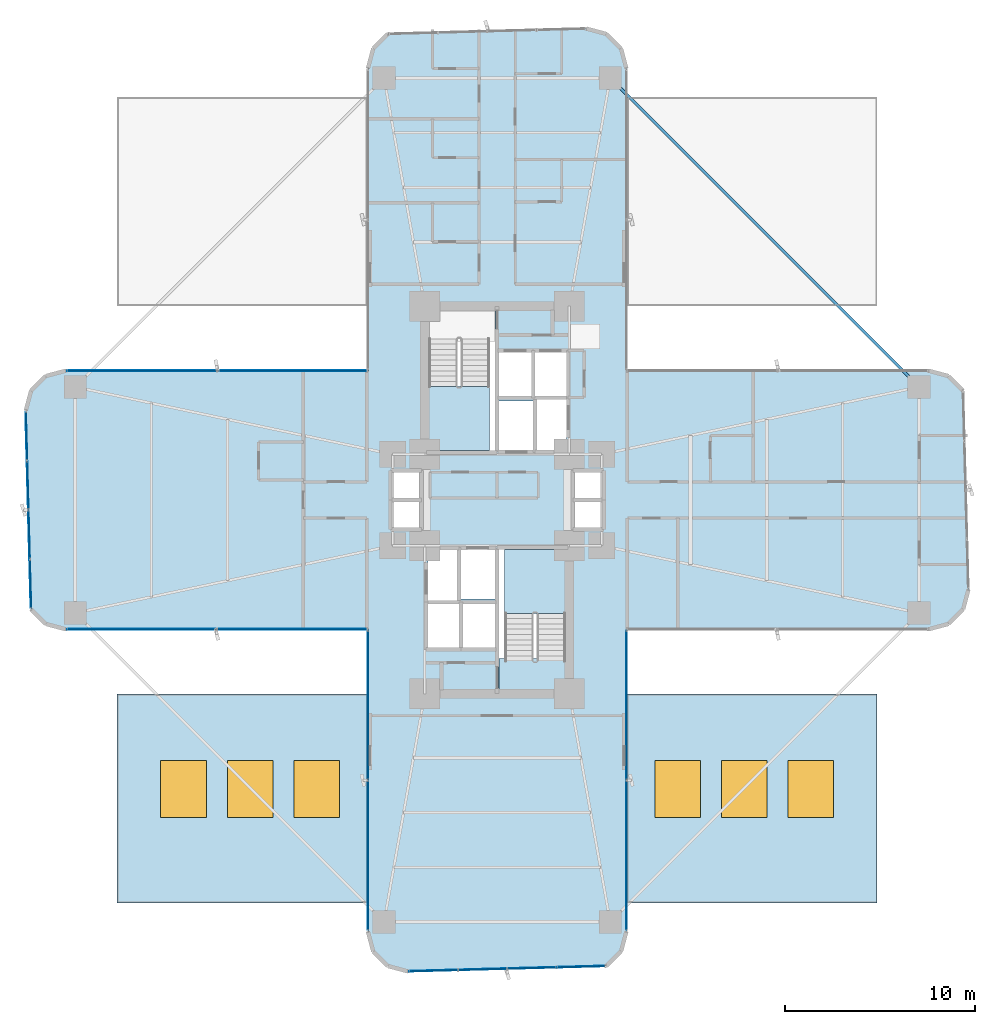
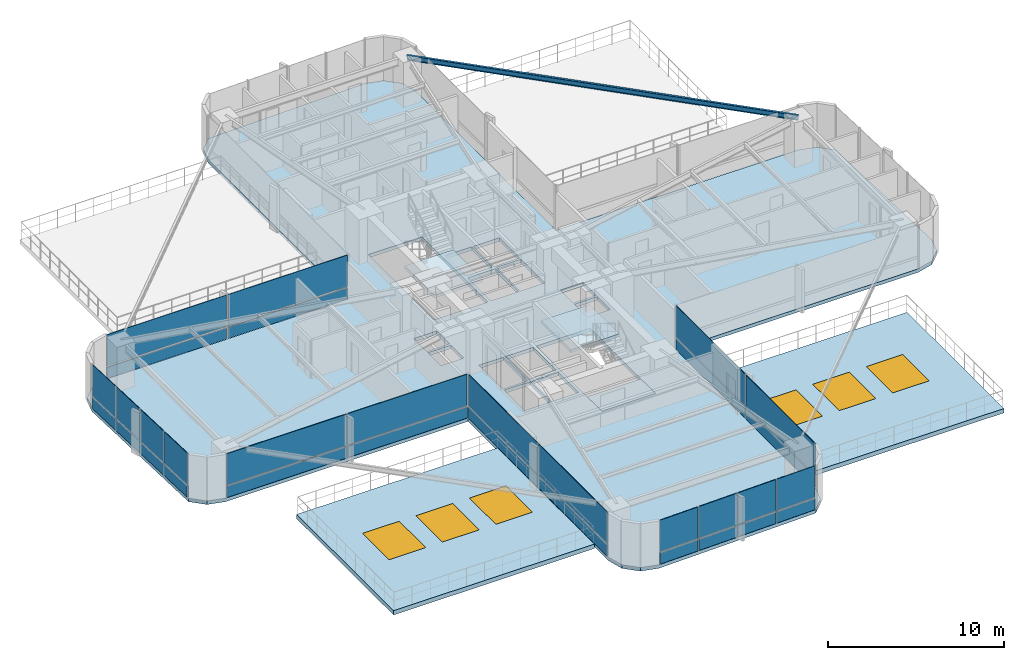
# One storey, part 20 of 27: 32 plates, 6 slabs, 6 windows, 1 beam, 6 openings, 8 elements without a shape of their own.
"""IFC4 building model written with IfcOpenShell, lengths in metres."""

import ifcopenshell
import ifcopenshell.guid

model = None  # the IFC model being written
_history = None  # IfcOwnerHistory: only IFC2X3 demands one
_inside = {}  # id of a spatial element -> (the spatial element, [elements in it])
_under = {}  # id of a project, library or spatial element -> (it, [spatial elements below it])
_declared = {}  # id of a project -> (the project, [libraries it declares])
_typed = {}  # id of a type object -> (the type object, [elements of that type])
_made_of = {}  # id of a material, layer set ... -> (it, [elements and type objects made of it])


def new_model(schema):
    """Start an empty IFC model of exactly this schema.

    Asked for "IFC4X3", IfcOpenShell would pick the latest addendum, in which some entities
    have other attributes; the version numbers below select the first issue.
    IFC2X3 requires an IfcOwnerHistory on every rooted entity: one is made here for all.
    """
    global model, _history
    if schema == "IFC4X3":
        model = ifcopenshell.file(schema_version=(4, 3, 0, 0))
    else:
        model = ifcopenshell.file(schema=schema)
    _inside.clear()
    _under.clear()
    _declared.clear()
    _typed.clear()
    _made_of.clear()
    _history = None
    if model.schema == "IFC2X3":
        org = make("IfcOrganization", Name="unknown")
        user = make(
            "IfcPersonAndOrganization",
            ThePerson=make("IfcPerson", FamilyName="unknown"),
            TheOrganization=org,
        )
        app = make(
            "IfcApplication",
            ApplicationDeveloper=org,
            Version="unknown",
            ApplicationFullName="unknown",
            ApplicationIdentifier="unknown",
        )
        _history = make(
            "IfcOwnerHistory",
            OwningUser=user,
            OwningApplication=app,
            ChangeAction="ADDED",
            CreationDate=0,
        )
    return model


def make(cls, **values):
    """One entity of the class cls with the attributes given. An attribute that is None is left unset."""
    return model.create_entity(
        cls, **{name: value for name, value in values.items() if value is not None}
    )


def rooted(cls, **values):
    """An entity with a GlobalId (a new one), such as an element, a storey or a relation."""
    return make(cls, GlobalId=ifcopenshell.guid.new(), OwnerHistory=_history, **values)


def si_unit(unit_type, name, prefix=None):
    """IfcSIUnit, for example si_unit("LENGTHUNIT", "METRE", prefix="MILLI")."""
    return make("IfcSIUnit", UnitType=unit_type, Prefix=prefix, Name=name)


def assignment(units):
    """IfcUnitAssignment: the units of a project."""
    return None if units is None else make("IfcUnitAssignment", Units=units)


def point(xyz):
    """IfcCartesianPoint."""
    return None if xyz is None else make("IfcCartesianPoint", Coordinates=xyz)


def direction(xyz):
    """IfcDirection."""
    return None if xyz is None else make("IfcDirection", DirectionRatios=xyz)


def frame(location, z_axis=None, x_axis=None):
    """IfcAxis2Placement3D, a coordinate frame: its origin and axes. An axis left out is left unset."""
    return make(
        "IfcAxis2Placement3D",
        Location=point(location),
        Axis=direction(z_axis),
        RefDirection=direction(x_axis),
    )


def frame_2d(location, x_axis=None):
    """IfcAxis2Placement2D, a coordinate frame in the plane: its origin and x axis."""
    return make(
        "IfcAxis2Placement2D", Location=point(location), RefDirection=direction(x_axis)
    )


def origin():
    """The frame at (0, 0, 0) with its axes left unset."""
    return frame((0.0, 0.0, 0.0))


def origin_2d():
    """The frame at (0, 0) in the plane with its x axis left unset."""
    return frame_2d((0.0, 0.0))


def place(relative_to, where):
    """IfcLocalPlacement: puts the frame where relative to a parent placement (None: the world)."""
    return make(
        "IfcLocalPlacement", PlacementRelTo=relative_to, RelativePlacement=where
    )


def context(
    kind, dimensions, precision=None, world=None, true_north=None, identifier=None
):
    """IfcGeometricRepresentationContext, for example the 3D "Model" context."""
    return make(
        "IfcGeometricRepresentationContext",
        ContextIdentifier=identifier,
        ContextType=kind,
        CoordinateSpaceDimension=dimensions,
        Precision=precision,
        WorldCoordinateSystem=world,
        TrueNorth=true_north,
    )


def subcontext(parent, identifier, kind, view, scale=None):
    """IfcGeometricRepresentationSubContext, for example "Body" below "Model"."""
    return make(
        "IfcGeometricRepresentationSubContext",
        ContextIdentifier=identifier,
        ContextType=kind,
        ParentContext=parent,
        TargetScale=scale,
        TargetView=view,
    )


def project(units=None, contexts=None):
    """IfcProject with its units and contexts."""
    return rooted(
        "IfcProject",
        Name="project",
        RepresentationContexts=contexts,
        UnitsInContext=assignment(units),
    )


def spatial(cls, under=None, at=None, **own):
    """A site, building, storey or space (cls), placed at a placement, below another one or the project."""
    s = rooted(cls, ObjectPlacement=at, **own)
    if under is not None:
        _under.setdefault(under.id(), (under, []))[1].append(s)
    return s


def polyline(points):
    """IfcPolyline through the points."""
    return make("IfcPolyline", Points=[point(p) for p in points])


def profile(cls, at=None, kind="AREA", **sizes):
    """A parametric profile (cls). Its sizes go by their IFC names, for example OverallWidth=200.0."""
    return make(cls, ProfileType=kind, Position=at, **sizes)


def rectangle(**sizes):
    """IfcRectangleProfileDef."""
    return profile("IfcRectangleProfileDef", **sizes)


def i_section(**sizes):
    """IfcIShapeProfileDef."""
    return profile("IfcIShapeProfileDef", **sizes)


def outline(outer, holes=None, kind="AREA"):
    """IfcArbitraryClosedProfileDef: a profile drawn as a closed curve; with holes, ...WithVoids."""
    if holes is None:
        return make("IfcArbitraryClosedProfileDef", ProfileType=kind, OuterCurve=outer)
    return make(
        "IfcArbitraryProfileDefWithVoids",
        ProfileType=kind,
        OuterCurve=outer,
        InnerCurves=holes,
    )


def extrude(swept, where, along, depth):
    """IfcExtrudedAreaSolid: the profile swept, set in the frame where, extruded along a direction by depth."""
    return make(
        "IfcExtrudedAreaSolid",
        SweptArea=swept,
        Position=where,
        ExtrudedDirection=direction(along),
        Depth=depth,
    )


def shape(context_of_items, identifier, shape_type, items):
    """IfcShapeRepresentation: the items that make up one representation, for example the "Body"."""
    return make(
        "IfcShapeRepresentation",
        ContextOfItems=context_of_items,
        RepresentationIdentifier=identifier,
        RepresentationType=shape_type,
        Items=items,
    )


def source(mapping_origin, context_of_items, identifier, shape_type, items):
    """IfcRepresentationMap: a shape defined once, which mapped items show again and again."""
    return make(
        "IfcRepresentationMap",
        MappingOrigin=mapping_origin,
        MappedRepresentation=shape(context_of_items, identifier, shape_type, items),
    )


def transform(
    local_origin,
    x_axis=None,
    y_axis=None,
    z_axis=None,
    scale=None,
    scale2=None,
    scale3=None,
    uniform=True,
):
    """IfcCartesianTransformationOperator3D, or its non-uniform kind. x_axis, y_axis, z_axis: its Axis1, 2, 3."""
    if uniform:
        return make(
            "IfcCartesianTransformationOperator3D",
            Axis1=direction(x_axis),
            Axis2=direction(y_axis),
            LocalOrigin=point(local_origin),
            Scale=scale,
            Axis3=direction(z_axis),
        )
    return make(
        "IfcCartesianTransformationOperator3DnonUniform",
        Axis1=direction(x_axis),
        Axis2=direction(y_axis),
        LocalOrigin=point(local_origin),
        Scale=scale,
        Axis3=direction(z_axis),
        Scale2=scale2,
        Scale3=scale3,
    )


def mapped(mapping_source, mapping_target):
    """IfcMappedItem: shows the shape of a source again, moved by a transform."""
    return make(
        "IfcMappedItem", MappingSource=mapping_source, MappingTarget=mapping_target
    )


def material(Name=None, Category=None):
    """IfcMaterial."""
    return make("IfcMaterial", Name=Name, Category=Category)


def layer(
    of_material, thickness, ventilated=None, Name=None, Category=None, Priority=None
):
    """IfcMaterialLayer: one layer of a wall or slab, of a material (None: an air gap)."""
    return make(
        "IfcMaterialLayer",
        Material=of_material,
        LayerThickness=thickness,
        IsVentilated=ventilated,
        Name=Name,
        Category=Category,
        Priority=Priority,
    )


def layer_set(layers, Name=None):
    """IfcMaterialLayerSet."""
    return make("IfcMaterialLayerSet", MaterialLayers=layers, LayerSetName=Name)


def material_profile(
    of_material, cross_section, Name=None, Category=None, Priority=None
):
    """IfcMaterialProfile: a cross section and its material."""
    return make(
        "IfcMaterialProfile",
        Name=Name,
        Material=of_material,
        Profile=cross_section,
        Priority=Priority,
        Category=Category,
    )


def profile_set(profiles, Name=None, composite=None):
    """IfcMaterialProfileSet."""
    return make(
        "IfcMaterialProfileSet",
        Name=Name,
        MaterialProfiles=profiles,
        CompositeProfile=composite,
    )


def made_of(thing, what):
    """Note that an element or type object is made of a material, layer set ...; save() writes the relation."""
    if what is not None:
        _made_of.setdefault(what.id(), (what, []))[1].append(thing)
    return thing


def type_object(cls, material=None, **own):
    """A type object (cls), such as IfcWallType, which elements share."""
    return made_of(rooted(cls, **own), material)


def element(
    cls,
    number,
    at=None,
    inside=None,
    cuts=None,
    type_object=None,
    material=None,
    context=None,
    identifier="Body",
    shape_type=None,
    held_by="IfcProductDefinitionShape",
    body=None,
    shapes=None,
    **own,
):
    """One element of the class cls, such as IfcWall. Its Tag is "e" and its number.

    at: its placement. inside: the storey or other place that contains it. cuts: it is an
    opening in that element (IfcRelVoidsElement). A single representation is given by context,
    identifier, shape_type and body (its items); several are given by shapes. held_by: the class
    of the entity that holds the representations. save() writes the other relations.
    """
    e = rooted(cls, Tag="e%d" % number, ObjectPlacement=at, **own)
    if body is not None:
        shapes = [shape(context, identifier, shape_type, body)]
    if shapes is not None:
        e.Representation = make(held_by, Representations=shapes)
    if inside is not None:
        _inside.setdefault(inside.id(), (inside, []))[1].append(e)
    if cuts is not None:
        rooted(
            "IfcRelVoidsElement", RelatingBuildingElement=cuts, RelatedOpeningElement=e
        )
    if type_object is not None:
        _typed.setdefault(type_object.id(), (type_object, []))[1].append(e)
    return made_of(e, material)


def fill(opening, filler):
    """IfcRelFillsElement: the door or window that sits in an opening."""
    return rooted(
        "IfcRelFillsElement",
        RelatingOpeningElement=opening,
        RelatedBuildingElement=filler,
    )


def aggregate(whole, parts):
    """IfcRelAggregates: a whole, such as a stair, and the parts it consists of."""
    return rooted("IfcRelAggregates", RelatingObject=whole, RelatedObjects=parts)


def save(model, path):
    """Write the relations noted so far, then the file.

    IfcRelAggregates (storeys below a building ...), IfcRelContainedInSpatialStructure (elements
    in a storey), IfcRelDefinesByType, IfcRelAssociatesMaterial and IfcRelDeclares: one each for
    every whole, place, type object, material and project.
    """
    for whole, parts in _under.values():
        aggregate(whole, parts)
    for where, things in _inside.values():
        rooted(
            "IfcRelContainedInSpatialStructure",
            RelatedElements=things,
            RelatingStructure=where,
        )
    for kind, things in _typed.values():
        rooted("IfcRelDefinesByType", RelatedObjects=things, RelatingType=kind)
    for what, things in _made_of.values():
        rooted("IfcRelAssociatesMaterial", RelatedObjects=things, RelatingMaterial=what)
    for by, libraries in _declared.values():
        rooted("IfcRelDeclares", RelatingContext=by, RelatedDefinitions=libraries)
    model.write(path)


model = new_model("IFC4")

# Units and contexts
model_context = context("Model", 3, precision=1e-05, world=origin(), true_north=direction((0.0, 1.0)))
body_context = subcontext(model_context, "Body", "Model", "MODEL_VIEW")
ifc_project = project(units=[si_unit("LENGTHUNIT", "METRE"), si_unit("AREAUNIT", "SQUARE_METRE"), si_unit("VOLUMEUNIT", "CUBIC_METRE"), si_unit("PLANEANGLEUNIT", "RADIAN"), si_unit("MASSUNIT", "GRAM", prefix="KILO")], contexts=[model_context])

# Site, building, storey
site_placement = place(None, origin())
site = spatial("IfcSite", under=ifc_project, at=site_placement, CompositionType="ELEMENT")
building_placement = place(site_placement, origin())
building = spatial("IfcBuilding", under=site, at=building_placement, Name="Sahyath Konkavel Grand Hotel", CompositionType="ELEMENT")
storey_placement = place(building_placement, frame((0.0, 0.0, 23.10009765625)))
storey = spatial("IfcBuildingStorey", under=building, at=storey_placement, Name="L05", CompositionType="ELEMENT", Elevation=23.10009765625)

# Beam
ifc_material_1 = material(Name="Steel E350", Category="steel")
ifc_material_profile = material_profile(ifc_material_1, i_section(OverallWidth=0.139892578125, OverallDepth=0.35009765625, WebThickness=0.008056640625, FlangeThickness=0.01416015625, FilletRadius=0.013916015625, at=origin_2d()), Name="ISMB 350")
ifc_profile_set = profile_set([ifc_material_profile], Name="Steel E350")
beam_type = type_object("IfcBeamType", Name="BM-ISMB350", PredefinedType="BEAM", material=ifc_profile_set)
shared_shape_1 = source(origin(), body_context, "Body", "SweptSolid", [
    extrude(i_section(OverallWidth=0.139892578125, OverallDepth=0.35009765625, WebThickness=0.008056640625, FlangeThickness=0.01416015625, FilletRadius=0.013916015625, at=origin_2d()), origin(), (0.0, 0.0, 1.0), 22.98095703125),
])
beam_placement = place(storey_placement, frame((22.199951171875, 5.949951171875, 2.934814453125), z_axis=(-0.707106781187, 0.707106781187, 0.0), x_axis=(-0.707106781187, -0.707106781187, 0.0)))
element("IfcBeam", 1, at=beam_placement, inside=storey, type_object=beam_type, Name="L05 Re-Entrant Tie Beam NE", PredefinedType="BEAM", context=body_context, shape_type="MappedRepresentation", body=[
    mapped(shared_shape_1, transform((0.0, 0.0, 0.0), scale=1.0)),
])

# Slab
ifc_material_2 = material(Name="Concrete C40/50", Category="concrete")
ifc_layer_1 = layer(ifc_material_2, 0.239990234375)
ifc_layer_set_1 = layer_set([ifc_layer_1], Name="Concrete C40/50")
slab_type_1 = type_object("IfcSlabType", Name="SLB-240", PredefinedType="FLOOR", material=ifc_layer_set_1)
slab_1_placement = place(storey_placement, frame((0.0, 0.0, -0.239990234375)))
element("IfcSlab", 2, at=slab_1_placement, inside=storey, type_object=slab_type_1, Name="L05 Structural Floor Slab", PredefinedType="FLOOR", context=body_context, shape_type="SweptSolid", body=[
    extrude(outline(polyline([(6.800048828125, -6.800048828125), (22.699951171875, -6.800048828125), (23.75, -6.518798828125), (24.518798828125, -5.75), (24.800048828125, -4.699951171875), (24.518798828125, 5.75), (23.75, 6.518798828125), (22.699951171875, 6.800048828125), (6.800048828125, 6.800048828125), (6.800048828125, 22.699951171875), (6.518798828125, 23.75), (5.75, 24.518798828125), (4.699951171875, 24.800048828125), (-5.75, 24.518798828125), (-6.518798828125, 23.75), (-6.800048828125, 22.699951171875), (-6.800048828125, 6.800048828125), (-22.699951171875, 6.800048828125), (-23.75, 6.518798828125), (-24.518798828125, 5.75), (-24.800048828125, 4.699951171875), (-24.518798828125, -5.75), (-23.75, -6.518798828125), (-22.699951171875, -6.800048828125), (-6.800048828125, -6.800048828125), (-6.800048828125, -22.699951171875), (-6.518798828125, -23.75), (-5.75, -24.518798828125), (-4.699951171875, -24.800048828125), (5.75, -24.518798828125), (6.518798828125, -23.75), (6.800048828125, -22.699951171875), (6.800048828125, -6.800048828125)]), holes=[polyline([(-3.6201171875, 2.580078125), (-0.10009765625, 2.580078125), (-0.10009765625, 10.02001953125), (-3.6201171875, 10.02001953125), (-3.6201171875, 2.580078125)]), polyline([(0.10009765625, -10.02001953125), (3.6201171875, -10.02001953125), (3.6201171875, -2.580078125), (0.10009765625, -2.580078125), (0.10009765625, -10.02001953125)]), polyline([(0.10009765625, 2.60009765625), (1.949951171875, 2.60009765625), (1.949951171875, 5.199951171875), (0.10009765625, 5.199951171875), (0.10009765625, 2.60009765625)]), polyline([(-1.949951171875, -5.199951171875), (-0.10009765625, -5.199951171875), (-0.10009765625, -2.60009765625), (-1.949951171875, -2.60009765625), (-1.949951171875, -5.199951171875)]), polyline([(2.050048828125, 2.60009765625), (3.64990234375, 2.60009765625), (3.64990234375, 5.300048828125), (2.050048828125, 5.300048828125), (2.050048828125, 2.60009765625)]), polyline([(-3.64990234375, -5.300048828125), (-2.050048828125, -5.300048828125), (-2.050048828125, -2.60009765625), (-3.64990234375, -2.60009765625), (-3.64990234375, -5.300048828125)]), polyline([(0.10009765625, 5.449951171875), (1.85009765625, 5.449951171875), (1.85009765625, 7.75), (0.10009765625, 7.75), (0.10009765625, 5.449951171875)]), polyline([(1.949951171875, 5.449951171875), (3.64990234375, 5.449951171875), (3.64990234375, 7.75), (1.949951171875, 7.75), (1.949951171875, 5.449951171875)]), polyline([(-3.64990234375, -7.75), (-1.949951171875, -7.75), (-1.949951171875, -5.449951171875), (-3.64990234375, -5.449951171875), (-3.64990234375, -7.75)]), polyline([(-1.85009765625, -7.75), (-0.10009765625, -7.75), (-0.10009765625, -5.449951171875), (-1.85009765625, -5.449951171875), (-1.85009765625, -7.75)]), polyline([(4.050048828125, 0.080078125), (5.550048828125, 0.080078125), (5.550048828125, 1.5400390625), (4.050048828125, 1.5400390625), (4.050048828125, 0.080078125)]), polyline([(4.050048828125, -1.5400390625), (5.550048828125, -1.5400390625), (5.550048828125, -0.080078125), (4.050048828125, -0.080078125), (4.050048828125, -1.5400390625)]), polyline([(-5.550048828125, 0.080078125), (-4.050048828125, 0.080078125), (-4.050048828125, 1.5400390625), (-5.550048828125, 1.5400390625), (-5.550048828125, 0.080078125)]), polyline([(-5.550048828125, -1.5400390625), (-4.050048828125, -1.5400390625), (-4.050048828125, -0.080078125), (-5.550048828125, -0.080078125), (-5.550048828125, -1.5400390625)])]), origin(), (0.0, 0.0, 1.0), 0.239990234375),
])

# Slab, openings, windows
ifc_layer_2 = layer(ifc_material_2, 0.300048828125)
ifc_layer_set_2 = layer_set([ifc_layer_2], Name="Concrete C40/50")
slab_type_2 = type_object("IfcSlabType", Name="SLB-POD-ROOF", PredefinedType="ROOF", material=ifc_layer_set_2)
slab_2_placement = place(storey_placement, frame((0.0, 0.0, -0.300048828125)))
slab_2 = element("IfcSlab", 3, at=slab_2_placement, inside=storey, type_object=slab_type_2, Name="Podium Landscaped Roof Terrace SW", PredefinedType="ROOF", context=body_context, shape_type="SweptSolid", body=[
    extrude(outline(polyline([(-20.0, -21.199951171875), (-6.840087890625, -21.199951171875), (-6.840087890625, -10.199951171875), (-20.0, -10.199951171875), (-20.0, -21.199951171875)])), origin(), (0.0, 0.0, 1.0), 0.300048828125),
])
opening_1_placement = place(slab_2_placement, frame((-16.5, -15.199951171875, -0.010009765625)))
opening_1 = element("IfcOpeningElement", 4, at=opening_1_placement, cuts=slab_2, Name="Opening SK-24", PredefinedType="OPENING", context=body_context, shape_type="SweptSolid", body=[
    extrude(rectangle(XDim=2.39990234375, YDim=3.0, at=origin_2d()), origin(), (0.0, 0.0, 1.0), 0.320068359375),
])
opening_2_placement = place(slab_2_placement, frame((-13.0, -15.199951171875, -0.010009765625)))
opening_2 = element("IfcOpeningElement", 5, at=opening_2_placement, cuts=slab_2, Name="Opening SK-24", PredefinedType="OPENING", context=body_context, shape_type="SweptSolid", body=[
    extrude(rectangle(XDim=2.39990234375, YDim=3.0, at=origin_2d()), origin(), (0.0, 0.0, 1.0), 0.320068359375),
])
opening_3_placement = place(slab_2_placement, frame((-9.5, -15.199951171875, -0.010009765625)))
opening_3 = element("IfcOpeningElement", 6, at=opening_3_placement, cuts=slab_2, Name="Opening SK-24", PredefinedType="OPENING", context=body_context, shape_type="SweptSolid", body=[
    extrude(rectangle(XDim=2.39990234375, YDim=3.0, at=origin_2d()), origin(), (0.0, 0.0, 1.0), 0.320068359375),
])
ifc_material_3 = material(Name="Laminated Solar-Control Double Glazing", Category="glass")
window_type = type_object("IfcWindowType", Name="SKYLIGHT-2400", PartitioningType="SINGLE_PANEL", PredefinedType="SKYLIGHT", material=ifc_material_3)
shared_shape_2 = source(origin(), body_context, "Body", "SweptSolid", [
    extrude(rectangle(XDim=2.39990234375, YDim=3.0, at=origin_2d()), origin(), (0.0, 0.0, 1.0), 0.050048828125),
])
window_1_placement = place(slab_2_placement, frame((-16.5, -15.199951171875, 0.25)))
window_1 = element("IfcWindow", 7, at=window_1_placement, inside=storey, type_object=window_type, Name="Podium Atrium Skylight SK-01", OverallHeight=3.0, OverallWidth=2.39990234375, PartitioningType="SINGLE_PANEL", PredefinedType="SKYLIGHT", context=body_context, shape_type="MappedRepresentation", body=[
    mapped(shared_shape_2, transform((0.0, 0.0, 0.0), scale=1.0)),
])
fill(opening_1, window_1)
window_2_placement = place(slab_2_placement, frame((-13.0, -15.199951171875, 0.25)))
window_2 = element("IfcWindow", 8, at=window_2_placement, inside=storey, type_object=window_type, Name="Podium Atrium Skylight SK-02", OverallHeight=3.0, OverallWidth=2.39990234375, PartitioningType="SINGLE_PANEL", PredefinedType="SKYLIGHT", context=body_context, shape_type="MappedRepresentation", body=[
    mapped(shared_shape_2, transform((0.0, 0.0, 0.0), scale=1.0)),
])
fill(opening_2, window_2)
window_3_placement = place(slab_2_placement, frame((-9.5, -15.199951171875, 0.25)))
window_3 = element("IfcWindow", 9, at=window_3_placement, inside=storey, type_object=window_type, Name="Podium Atrium Skylight SK-03", OverallHeight=3.0, OverallWidth=2.39990234375, PartitioningType="SINGLE_PANEL", PredefinedType="SKYLIGHT", context=body_context, shape_type="MappedRepresentation", body=[
    mapped(shared_shape_2, transform((0.0, 0.0, 0.0), scale=1.0)),
])
fill(opening_3, window_3)

slab_3_placement = place(storey_placement, frame((0.0, 0.0, -0.300048828125)))
slab_3 = element("IfcSlab", 10, at=slab_3_placement, inside=storey, type_object=slab_type_2, Name="Podium Landscaped Roof Terrace SE", PredefinedType="ROOF", context=body_context, shape_type="SweptSolid", body=[
    extrude(outline(polyline([(6.840087890625, -21.199951171875), (20.0, -21.199951171875), (20.0, -10.199951171875), (6.840087890625, -10.199951171875), (6.840087890625, -21.199951171875)])), origin(), (0.0, 0.0, 1.0), 0.300048828125),
])
opening_4_placement = place(slab_3_placement, frame((9.5, -15.199951171875, -0.010009765625)))
opening_4 = element("IfcOpeningElement", 11, at=opening_4_placement, cuts=slab_3, Name="Opening SK-24", PredefinedType="OPENING", context=body_context, shape_type="SweptSolid", body=[
    extrude(rectangle(XDim=2.39990234375, YDim=3.0, at=origin_2d()), origin(), (0.0, 0.0, 1.0), 0.320068359375),
])
opening_5_placement = place(slab_3_placement, frame((13.0, -15.199951171875, -0.010009765625)))
opening_5 = element("IfcOpeningElement", 12, at=opening_5_placement, cuts=slab_3, Name="Opening SK-24", PredefinedType="OPENING", context=body_context, shape_type="SweptSolid", body=[
    extrude(rectangle(XDim=2.39990234375, YDim=3.0, at=origin_2d()), origin(), (0.0, 0.0, 1.0), 0.320068359375),
])
opening_6_placement = place(slab_3_placement, frame((16.5, -15.199951171875, -0.010009765625)))
opening_6 = element("IfcOpeningElement", 13, at=opening_6_placement, cuts=slab_3, Name="Opening SK-24", PredefinedType="OPENING", context=body_context, shape_type="SweptSolid", body=[
    extrude(rectangle(XDim=2.39990234375, YDim=3.0, at=origin_2d()), origin(), (0.0, 0.0, 1.0), 0.320068359375),
])
window_4_placement = place(slab_3_placement, frame((9.5, -15.199951171875, 0.25)))
window_4 = element("IfcWindow", 14, at=window_4_placement, inside=storey, type_object=window_type, Name="Podium Atrium Skylight SK-04", OverallHeight=3.0, OverallWidth=2.39990234375, PartitioningType="SINGLE_PANEL", PredefinedType="SKYLIGHT", context=body_context, shape_type="MappedRepresentation", body=[
    mapped(shared_shape_2, transform((0.0, 0.0, 0.0), scale=1.0)),
])
fill(opening_4, window_4)
window_5_placement = place(slab_3_placement, frame((13.0, -15.199951171875, 0.25)))
window_5 = element("IfcWindow", 15, at=window_5_placement, inside=storey, type_object=window_type, Name="Podium Atrium Skylight SK-05", OverallHeight=3.0, OverallWidth=2.39990234375, PartitioningType="SINGLE_PANEL", PredefinedType="SKYLIGHT", context=body_context, shape_type="MappedRepresentation", body=[
    mapped(shared_shape_2, transform((0.0, 0.0, 0.0), scale=1.0)),
])
fill(opening_5, window_5)
window_6_placement = place(slab_3_placement, frame((16.5, -15.199951171875, 0.25)))
window_6 = element("IfcWindow", 16, at=window_6_placement, inside=storey, type_object=window_type, Name="Podium Atrium Skylight SK-06", OverallHeight=3.0, OverallWidth=2.39990234375, PartitioningType="SINGLE_PANEL", PredefinedType="SKYLIGHT", context=body_context, shape_type="MappedRepresentation", body=[
    mapped(shared_shape_2, transform((0.0, 0.0, 0.0), scale=1.0)),
])
fill(opening_6, window_6)

# Stair, slab
stair_type = type_object("IfcStairType", Name="STR-ST16-335", PredefinedType="HALF_TURN_STAIR", material=ifc_material_2)
stair_1_placement = place(storey_placement, origin())
stair_1 = element("IfcStair", 17, at=stair_1_placement, inside=storey, type_object=stair_type, Name="L05 North Core Smokeproof Exit Stair ST-1", PredefinedType="HALF_TURN_STAIR")
ifc_layer_3 = layer(ifc_material_2, 0.199951171875)
ifc_layer_set_3 = layer_set([ifc_layer_3], Name="Concrete C40/50")
slab_type_3 = type_object("IfcSlabType", Name="SLB-STAIR-LND", PredefinedType="LANDING", material=ifc_layer_set_3)
slab_4_placement = place(storey_placement, frame((0.0, 0.0, 1.474853515625)))
slab_4 = element("IfcSlab", 18, at=slab_4_placement, type_object=slab_type_3, Name="ST-1 landing 1", PredefinedType="LANDING", context=body_context, shape_type="SweptSolid", body=[
    extrude(outline(polyline([(-3.60009765625, 5.9599609375), (-3.60009765625, 2.60009765625), (-0.39990234375, 2.60009765625), (-0.39990234375, 5.9599609375), (-3.60009765625, 5.9599609375)])), origin(), (0.0, 0.0, 1.0), 0.199951171875),
])
aggregate(stair_1, [slab_4])

stair_2_placement = place(storey_placement, origin())
stair_2 = element("IfcStair", 19, at=stair_2_placement, inside=storey, type_object=stair_type, Name="L05 South Core Smokeproof Exit Stair ST-2", PredefinedType="HALF_TURN_STAIR")
slab_5_placement = place(storey_placement, frame((0.0, 0.0, 1.474853515625)))
slab_5 = element("IfcSlab", 20, at=slab_5_placement, type_object=slab_type_3, Name="ST-2 landing 1", PredefinedType="LANDING", context=body_context, shape_type="SweptSolid", body=[
    extrude(outline(polyline([(3.60009765625, -5.9599609375), (3.60009765625, -2.60009765625), (0.39990234375, -2.60009765625), (0.39990234375, -5.9599609375), (3.60009765625, -5.9599609375)])), origin(), (0.0, 0.0, 1.0), 0.199951171875),
])
aggregate(stair_2, [slab_5])

# Slab
slab_6_placement = place(storey_placement, frame((0.0, 0.0, -0.2001953125)))
element("IfcSlab", 21, at=slab_6_placement, inside=storey, type_object=slab_type_3, Name="L05 Stair ST-2 Floor Landing Slab", PredefinedType="LANDING", context=body_context, shape_type="SweptSolid", body=[
    extrude(outline(polyline([(0.10009765625, -10.02001953125), (3.6201171875, -10.02001953125), (3.6201171875, -8.35009765625), (0.10009765625, -8.35009765625), (0.10009765625, -10.02001953125)])), origin(), (0.0, 0.0, 1.0), 0.2001953125),
])

# Curtain wall, plates
ifc_material_4 = material(Name="Anodised Bronze Aluminium & Low-E Glazing", Category="aluminium")
curtain_wall_type = type_object("IfcCurtainWallType", Name="CW-ZONE1", PredefinedType="NOTDEFINED", material=ifc_material_4)
curtain_wall_1_placement = place(storey_placement, origin())
curtain_wall_1 = element("IfcCurtainWall", 22, at=curtain_wall_1_placement, inside=storey, type_object=curtain_wall_type, Name="L05 Unitised Curtain Wall F16", PredefinedType="NOTDEFINED")
ifc_material_5 = material(Name="Warm Buff Sandstone Cladding", Category="masonry")
ifc_layer_4 = layer(ifc_material_5, 0.074951171875)
ifc_layer_set_4 = layer_set([ifc_layer_4], Name="Warm Buff Sandstone Cladding")
plate_type_1 = type_object("IfcPlateType", Name="PNL-SPANDREL-STONE", PredefinedType="SHEET", material=ifc_layer_set_4)
shared_shape_3 = source(origin(), body_context, "Body", "SweptSolid", [
    extrude(rectangle(XDim=7.830078125, YDim=0.074951171875, at=origin_2d()), origin(), (0.0, 0.0, 1.0), 0.77001953125),
])
plate_1_placement = place(storey_placement, frame((-10.794921875, 6.800048828125, 0.039794921875), z_axis=(0.0, 0.0, 1.0), x_axis=(-1.0, 0.0, 0.0)))
plate_1 = element("IfcPlate", 23, at=plate_1_placement, type_object=plate_type_1, Name="L05 Sandstone Relief Spandrel Panel F16-0", PredefinedType="SHEET", context=body_context, shape_type="MappedRepresentation", body=[
    mapped(shared_shape_3, transform((0.0, 0.0, 0.0), scale=1.0)),
])
plate_2_placement = place(storey_placement, frame((-18.705078125, 6.800048828125, 0.039794921875), z_axis=(0.0, 0.0, 1.0), x_axis=(-1.0, 0.0, 0.0)))
plate_2 = element("IfcPlate", 24, at=plate_2_placement, type_object=plate_type_1, Name="L05 Sandstone Relief Spandrel Panel F16-1", PredefinedType="SHEET", context=body_context, shape_type="MappedRepresentation", body=[
    mapped(shared_shape_3, transform((0.0, 0.0, 0.0), scale=1.0)),
])

curtain_wall_2_placement = place(storey_placement, origin())
curtain_wall_2 = element("IfcCurtainWall", 25, at=curtain_wall_2_placement, inside=storey, type_object=curtain_wall_type, Name="L05 Unitised Curtain Wall F23", PredefinedType="NOTDEFINED")
plate_3_placement = place(storey_placement, frame((-18.705078125, -6.800048828125, 0.039794921875), z_axis=(0.0, 0.0, 1.0), x_axis=(1.0, 0.0, 0.0)))
plate_3 = element("IfcPlate", 26, at=plate_3_placement, type_object=plate_type_1, Name="L05 Sandstone Relief Spandrel Panel F23-0", PredefinedType="SHEET", context=body_context, shape_type="MappedRepresentation", body=[
    mapped(shared_shape_3, transform((0.0, 0.0, 0.0), scale=1.0)),
])
plate_4_placement = place(storey_placement, frame((-10.794921875, -6.800048828125, 0.039794921875), z_axis=(0.0, 0.0, 1.0), x_axis=(1.0, 0.0, 0.0)))
plate_4 = element("IfcPlate", 27, at=plate_4_placement, type_object=plate_type_1, Name="L05 Sandstone Relief Spandrel Panel F23-1", PredefinedType="SHEET", context=body_context, shape_type="MappedRepresentation", body=[
    mapped(shared_shape_3, transform((0.0, 0.0, 0.0), scale=1.0)),
])

curtain_wall_3_placement = place(storey_placement, origin())
curtain_wall_3 = element("IfcCurtainWall", 28, at=curtain_wall_3_placement, inside=storey, type_object=curtain_wall_type, Name="L05 Unitised Curtain Wall F24", PredefinedType="NOTDEFINED")
plate_5_placement = place(storey_placement, frame((-6.800048828125, -10.794921875, 0.039794921875), z_axis=(0.0, 0.0, 1.0), x_axis=(0.0, -1.0, 0.0)))
plate_5 = element("IfcPlate", 29, at=plate_5_placement, type_object=plate_type_1, Name="L05 Sandstone Relief Spandrel Panel F24-0", PredefinedType="SHEET", context=body_context, shape_type="MappedRepresentation", body=[
    mapped(shared_shape_3, transform((0.0, 0.0, 0.0), scale=1.0)),
])
plate_6_placement = place(storey_placement, frame((-6.800048828125, -18.705078125, 0.039794921875), z_axis=(0.0, 0.0, 1.0), x_axis=(0.0, -1.0, 0.0)))
plate_6 = element("IfcPlate", 30, at=plate_6_placement, type_object=plate_type_1, Name="L05 Sandstone Relief Spandrel Panel F24-1", PredefinedType="SHEET", context=body_context, shape_type="MappedRepresentation", body=[
    mapped(shared_shape_3, transform((0.0, 0.0, 0.0), scale=1.0)),
])

curtain_wall_4_placement = place(storey_placement, origin())
curtain_wall_4 = element("IfcCurtainWall", 31, at=curtain_wall_4_placement, inside=storey, type_object=curtain_wall_type, Name="L05 Unitised Curtain Wall F31", PredefinedType="NOTDEFINED")
plate_7_placement = place(storey_placement, frame((6.800048828125, -18.705078125, 0.039794921875), z_axis=(0.0, 0.0, 1.0), x_axis=(0.0, 1.0, 0.0)))
plate_7 = element("IfcPlate", 32, at=plate_7_placement, type_object=plate_type_1, Name="L05 Sandstone Relief Spandrel Panel F31-0", PredefinedType="SHEET", context=body_context, shape_type="MappedRepresentation", body=[
    mapped(shared_shape_3, transform((0.0, 0.0, 0.0), scale=1.0)),
])
plate_8_placement = place(storey_placement, frame((6.800048828125, -10.794921875, 0.039794921875), z_axis=(0.0, 0.0, 1.0), x_axis=(0.0, 1.0, 0.0)))
plate_8 = element("IfcPlate", 33, at=plate_8_placement, type_object=plate_type_1, Name="L05 Sandstone Relief Spandrel Panel F31-1", PredefinedType="SHEET", context=body_context, shape_type="MappedRepresentation", body=[
    mapped(shared_shape_3, transform((0.0, 0.0, 0.0), scale=1.0)),
])

# Plate
ifc_material_6 = material(Name="Low-E Solar Control Double Glazing", Category="glass")
ifc_layer_5 = layer(ifc_material_6, 0.035888671875)
ifc_layer_set_5 = layer_set([ifc_layer_5], Name="Low-E Solar Control Double Glazing")
plate_type_2 = type_object("IfcPlateType", Name="PNL-VISION-LOWE", PredefinedType="CURTAIN_PANEL", material=ifc_layer_set_5)
shared_shape_4 = source(origin(), body_context, "Body", "SweptSolid", [
    extrude(rectangle(XDim=7.830078125, YDim=0.035888671875, at=origin_2d()), origin(), (0.0, 0.0, 1.0), 2.179931640625),
])
plate_9_placement = place(storey_placement, frame((-10.794921875, 6.800048828125, 0.89013671875), z_axis=(0.0, 0.0, 1.0), x_axis=(-1.0, 0.0, 0.0)))
plate_9 = element("IfcPlate", 34, at=plate_9_placement, type_object=plate_type_2, Name="L05 Low-E Vision Glazing Panel F16-0", PredefinedType="CURTAIN_PANEL", context=body_context, shape_type="MappedRepresentation", body=[
    mapped(shared_shape_4, transform((0.0, 0.0, 0.0), scale=1.0)),
])

plate_10_placement = place(storey_placement, frame((-18.705078125, 6.800048828125, 0.89013671875), z_axis=(0.0, 0.0, 1.0), x_axis=(-1.0, 0.0, 0.0)))
plate_10 = element("IfcPlate", 35, at=plate_10_placement, type_object=plate_type_2, Name="L05 Low-E Vision Glazing Panel F16-1", PredefinedType="CURTAIN_PANEL", context=body_context, shape_type="MappedRepresentation", body=[
    mapped(shared_shape_4, transform((0.0, 0.0, 0.0), scale=1.0)),
])

aggregate(curtain_wall_1, [plate_1, plate_9, plate_2, plate_10])

plate_11_placement = place(storey_placement, frame((-18.705078125, -6.800048828125, 0.89013671875), z_axis=(0.0, 0.0, 1.0), x_axis=(1.0, 0.0, 0.0)))
plate_11 = element("IfcPlate", 36, at=plate_11_placement, type_object=plate_type_2, Name="L05 Low-E Vision Glazing Panel F23-0", PredefinedType="CURTAIN_PANEL", context=body_context, shape_type="MappedRepresentation", body=[
    mapped(shared_shape_4, transform((0.0, 0.0, 0.0), scale=1.0)),
])

plate_12_placement = place(storey_placement, frame((-10.794921875, -6.800048828125, 0.89013671875), z_axis=(0.0, 0.0, 1.0), x_axis=(1.0, 0.0, 0.0)))
plate_12 = element("IfcPlate", 37, at=plate_12_placement, type_object=plate_type_2, Name="L05 Low-E Vision Glazing Panel F23-1", PredefinedType="CURTAIN_PANEL", context=body_context, shape_type="MappedRepresentation", body=[
    mapped(shared_shape_4, transform((0.0, 0.0, 0.0), scale=1.0)),
])

aggregate(curtain_wall_2, [plate_3, plate_11, plate_4, plate_12])

plate_13_placement = place(storey_placement, frame((-6.800048828125, -10.794921875, 0.89013671875), z_axis=(0.0, 0.0, 1.0), x_axis=(0.0, -1.0, 0.0)))
plate_13 = element("IfcPlate", 38, at=plate_13_placement, type_object=plate_type_2, Name="L05 Low-E Vision Glazing Panel F24-0", PredefinedType="CURTAIN_PANEL", context=body_context, shape_type="MappedRepresentation", body=[
    mapped(shared_shape_4, transform((0.0, 0.0, 0.0), scale=1.0)),
])

plate_14_placement = place(storey_placement, frame((-6.800048828125, -18.705078125, 0.89013671875), z_axis=(0.0, 0.0, 1.0), x_axis=(0.0, -1.0, 0.0)))
plate_14 = element("IfcPlate", 39, at=plate_14_placement, type_object=plate_type_2, Name="L05 Low-E Vision Glazing Panel F24-1", PredefinedType="CURTAIN_PANEL", context=body_context, shape_type="MappedRepresentation", body=[
    mapped(shared_shape_4, transform((0.0, 0.0, 0.0), scale=1.0)),
])

aggregate(curtain_wall_3, [plate_5, plate_13, plate_6, plate_14])

plate_15_placement = place(storey_placement, frame((6.800048828125, -18.705078125, 0.89013671875), z_axis=(0.0, 0.0, 1.0), x_axis=(0.0, 1.0, 0.0)))
plate_15 = element("IfcPlate", 40, at=plate_15_placement, type_object=plate_type_2, Name="L05 Low-E Vision Glazing Panel F31-0", PredefinedType="CURTAIN_PANEL", context=body_context, shape_type="MappedRepresentation", body=[
    mapped(shared_shape_4, transform((0.0, 0.0, 0.0), scale=1.0)),
])

plate_16_placement = place(storey_placement, frame((6.800048828125, -10.794921875, 0.89013671875), z_axis=(0.0, 0.0, 1.0), x_axis=(0.0, 1.0, 0.0)))
plate_16 = element("IfcPlate", 41, at=plate_16_placement, type_object=plate_type_2, Name="L05 Low-E Vision Glazing Panel F31-1", PredefinedType="CURTAIN_PANEL", context=body_context, shape_type="MappedRepresentation", body=[
    mapped(shared_shape_4, transform((0.0, 0.0, 0.0), scale=1.0)),
])

aggregate(curtain_wall_4, [plate_7, plate_15, plate_8, plate_16])

# Curtain wall, plates
curtain_wall_5_placement = place(storey_placement, origin())
curtain_wall_5 = element("IfcCurtainWall", 42, at=curtain_wall_5_placement, inside=storey, type_object=curtain_wall_type, Name="L05 Unitised Curtain Wall F20", PredefinedType="NOTDEFINED")
shared_shape_5 = source(origin(), body_context, "Body", "SweptSolid", [
    extrude(rectangle(XDim=2.513427734375, YDim=0.074951171875, at=origin_2d()), origin(), (0.0, 0.0, 1.0), 0.77001953125),
])
plate_17_placement = place(storey_placement, frame((-24.763916015625, 3.36376953125, 0.039794921875), z_axis=(0.0, 0.0, 1.0), x_axis=(0.026909728301, -0.999637867691, 0.0)))
plate_17 = element("IfcPlate", 43, at=plate_17_placement, type_object=plate_type_1, Name="L05 Sandstone Relief Spandrel Panel F20-0", PredefinedType="SHEET", context=body_context, shape_type="MappedRepresentation", body=[
    mapped(shared_shape_5, transform((0.0, 0.0, 0.0), scale=1.0)),
])
plate_18_placement = place(storey_placement, frame((-24.694091796875, 0.771240234375, 0.039794921875), z_axis=(0.0, 0.0, 1.0), x_axis=(0.026909728301, -0.999637867691, 0.0)))
plate_18 = element("IfcPlate", 44, at=plate_18_placement, type_object=plate_type_1, Name="L05 Sandstone Relief Spandrel Panel F20-1", PredefinedType="SHEET", context=body_context, shape_type="MappedRepresentation", body=[
    mapped(shared_shape_5, transform((0.0, 0.0, 0.0), scale=1.0)),
])
plate_19_placement = place(storey_placement, frame((-24.62451171875, -1.8212890625, 0.039794921875), z_axis=(0.0, 0.0, 1.0), x_axis=(0.026909728301, -0.999637867691, 0.0)))
plate_19 = element("IfcPlate", 45, at=plate_19_placement, type_object=plate_type_1, Name="L05 Sandstone Relief Spandrel Panel F20-2", PredefinedType="SHEET", context=body_context, shape_type="MappedRepresentation", body=[
    mapped(shared_shape_5, transform((0.0, 0.0, 0.0), scale=1.0)),
])
plate_20_placement = place(storey_placement, frame((-24.5546875, -4.413818359375, 0.039794921875), z_axis=(0.0, 0.0, 1.0), x_axis=(0.026909728301, -0.999637867691, 0.0)))
plate_20 = element("IfcPlate", 46, at=plate_20_placement, type_object=plate_type_1, Name="L05 Sandstone Relief Spandrel Panel F20-3", PredefinedType="SHEET", context=body_context, shape_type="MappedRepresentation", body=[
    mapped(shared_shape_5, transform((0.0, 0.0, 0.0), scale=1.0)),
])

curtain_wall_6_placement = place(storey_placement, origin())
curtain_wall_6 = element("IfcCurtainWall", 47, at=curtain_wall_6_placement, inside=storey, type_object=curtain_wall_type, Name="L05 Unitised Curtain Wall F28", PredefinedType="NOTDEFINED")
plate_21_placement = place(storey_placement, frame((-3.36376953125, -24.763916015625, 0.039794921875), z_axis=(0.0, 0.0, 1.0), x_axis=(0.999637867691, 0.026909728301, 0.0)))
plate_21 = element("IfcPlate", 48, at=plate_21_placement, type_object=plate_type_1, Name="L05 Sandstone Relief Spandrel Panel F28-0", PredefinedType="SHEET", context=body_context, shape_type="MappedRepresentation", body=[
    mapped(shared_shape_5, transform((0.0, 0.0, 0.0), scale=1.0)),
])
plate_22_placement = place(storey_placement, frame((-0.771240234375, -24.694091796875, 0.039794921875), z_axis=(0.0, 0.0, 1.0), x_axis=(0.999637867691, 0.026909728301, 0.0)))
plate_22 = element("IfcPlate", 49, at=plate_22_placement, type_object=plate_type_1, Name="L05 Sandstone Relief Spandrel Panel F28-1", PredefinedType="SHEET", context=body_context, shape_type="MappedRepresentation", body=[
    mapped(shared_shape_5, transform((0.0, 0.0, 0.0), scale=1.0)),
])
plate_23_placement = place(storey_placement, frame((1.8212890625, -24.62451171875, 0.039794921875), z_axis=(0.0, 0.0, 1.0), x_axis=(0.999637867691, 0.026909728301, 0.0)))
plate_23 = element("IfcPlate", 50, at=plate_23_placement, type_object=plate_type_1, Name="L05 Sandstone Relief Spandrel Panel F28-2", PredefinedType="SHEET", context=body_context, shape_type="MappedRepresentation", body=[
    mapped(shared_shape_5, transform((0.0, 0.0, 0.0), scale=1.0)),
])
plate_24_placement = place(storey_placement, frame((4.413818359375, -24.5546875, 0.039794921875), z_axis=(0.0, 0.0, 1.0), x_axis=(0.999637867691, 0.026909728301, 0.0)))
plate_24 = element("IfcPlate", 51, at=plate_24_placement, type_object=plate_type_1, Name="L05 Sandstone Relief Spandrel Panel F28-3", PredefinedType="SHEET", context=body_context, shape_type="MappedRepresentation", body=[
    mapped(shared_shape_5, transform((0.0, 0.0, 0.0), scale=1.0)),
])

# Plate
shared_shape_6 = source(origin(), body_context, "Body", "SweptSolid", [
    extrude(rectangle(XDim=2.513427734375, YDim=0.035888671875, at=origin_2d()), origin(), (0.0, 0.0, 1.0), 2.179931640625),
])
plate_25_placement = place(storey_placement, frame((-24.763916015625, 3.36376953125, 0.89013671875), z_axis=(0.0, 0.0, 1.0), x_axis=(0.026909728301, -0.999637867691, 0.0)))
plate_25 = element("IfcPlate", 52, at=plate_25_placement, type_object=plate_type_2, Name="L05 Low-E Vision Glazing Panel F20-0", PredefinedType="CURTAIN_PANEL", context=body_context, shape_type="MappedRepresentation", body=[
    mapped(shared_shape_6, transform((0.0, 0.0, 0.0), scale=1.0)),
])

plate_26_placement = place(storey_placement, frame((-24.694091796875, 0.771240234375, 0.89013671875), z_axis=(0.0, 0.0, 1.0), x_axis=(0.026909728301, -0.999637867691, 0.0)))
plate_26 = element("IfcPlate", 53, at=plate_26_placement, type_object=plate_type_2, Name="L05 Low-E Vision Glazing Panel F20-1", PredefinedType="CURTAIN_PANEL", context=body_context, shape_type="MappedRepresentation", body=[
    mapped(shared_shape_6, transform((0.0, 0.0, 0.0), scale=1.0)),
])

plate_27_placement = place(storey_placement, frame((-24.62451171875, -1.8212890625, 0.89013671875), z_axis=(0.0, 0.0, 1.0), x_axis=(0.026909728301, -0.999637867691, 0.0)))
plate_27 = element("IfcPlate", 54, at=plate_27_placement, type_object=plate_type_2, Name="L05 Low-E Vision Glazing Panel F20-2", PredefinedType="CURTAIN_PANEL", context=body_context, shape_type="MappedRepresentation", body=[
    mapped(shared_shape_6, transform((0.0, 0.0, 0.0), scale=1.0)),
])

plate_28_placement = place(storey_placement, frame((-24.5546875, -4.413818359375, 0.89013671875), z_axis=(0.0, 0.0, 1.0), x_axis=(0.026909728301, -0.999637867691, 0.0)))
plate_28 = element("IfcPlate", 55, at=plate_28_placement, type_object=plate_type_2, Name="L05 Low-E Vision Glazing Panel F20-3", PredefinedType="CURTAIN_PANEL", context=body_context, shape_type="MappedRepresentation", body=[
    mapped(shared_shape_6, transform((0.0, 0.0, 0.0), scale=1.0)),
])

aggregate(curtain_wall_5, [plate_17, plate_25, plate_18, plate_26, plate_19, plate_27, plate_20, plate_28])

plate_29_placement = place(storey_placement, frame((-3.36376953125, -24.763916015625, 0.89013671875), z_axis=(0.0, 0.0, 1.0), x_axis=(0.999637867691, 0.026909728301, 0.0)))
plate_29 = element("IfcPlate", 56, at=plate_29_placement, type_object=plate_type_2, Name="L05 Low-E Vision Glazing Panel F28-0", PredefinedType="CURTAIN_PANEL", context=body_context, shape_type="MappedRepresentation", body=[
    mapped(shared_shape_6, transform((0.0, 0.0, 0.0), scale=1.0)),
])

plate_30_placement = place(storey_placement, frame((-0.771240234375, -24.694091796875, 0.89013671875), z_axis=(0.0, 0.0, 1.0), x_axis=(0.999637867691, 0.026909728301, 0.0)))
plate_30 = element("IfcPlate", 57, at=plate_30_placement, type_object=plate_type_2, Name="L05 Low-E Vision Glazing Panel F28-1", PredefinedType="CURTAIN_PANEL", context=body_context, shape_type="MappedRepresentation", body=[
    mapped(shared_shape_6, transform((0.0, 0.0, 0.0), scale=1.0)),
])

plate_31_placement = place(storey_placement, frame((1.8212890625, -24.62451171875, 0.89013671875), z_axis=(0.0, 0.0, 1.0), x_axis=(0.999637867691, 0.026909728301, 0.0)))
plate_31 = element("IfcPlate", 58, at=plate_31_placement, type_object=plate_type_2, Name="L05 Low-E Vision Glazing Panel F28-2", PredefinedType="CURTAIN_PANEL", context=body_context, shape_type="MappedRepresentation", body=[
    mapped(shared_shape_6, transform((0.0, 0.0, 0.0), scale=1.0)),
])

plate_32_placement = place(storey_placement, frame((4.413818359375, -24.5546875, 0.89013671875), z_axis=(0.0, 0.0, 1.0), x_axis=(0.999637867691, 0.026909728301, 0.0)))
plate_32 = element("IfcPlate", 59, at=plate_32_placement, type_object=plate_type_2, Name="L05 Low-E Vision Glazing Panel F28-3", PredefinedType="CURTAIN_PANEL", context=body_context, shape_type="MappedRepresentation", body=[
    mapped(shared_shape_6, transform((0.0, 0.0, 0.0), scale=1.0)),
])

aggregate(curtain_wall_6, [plate_21, plate_29, plate_22, plate_30, plate_23, plate_31, plate_24, plate_32])

save(model, "model.ifc")
